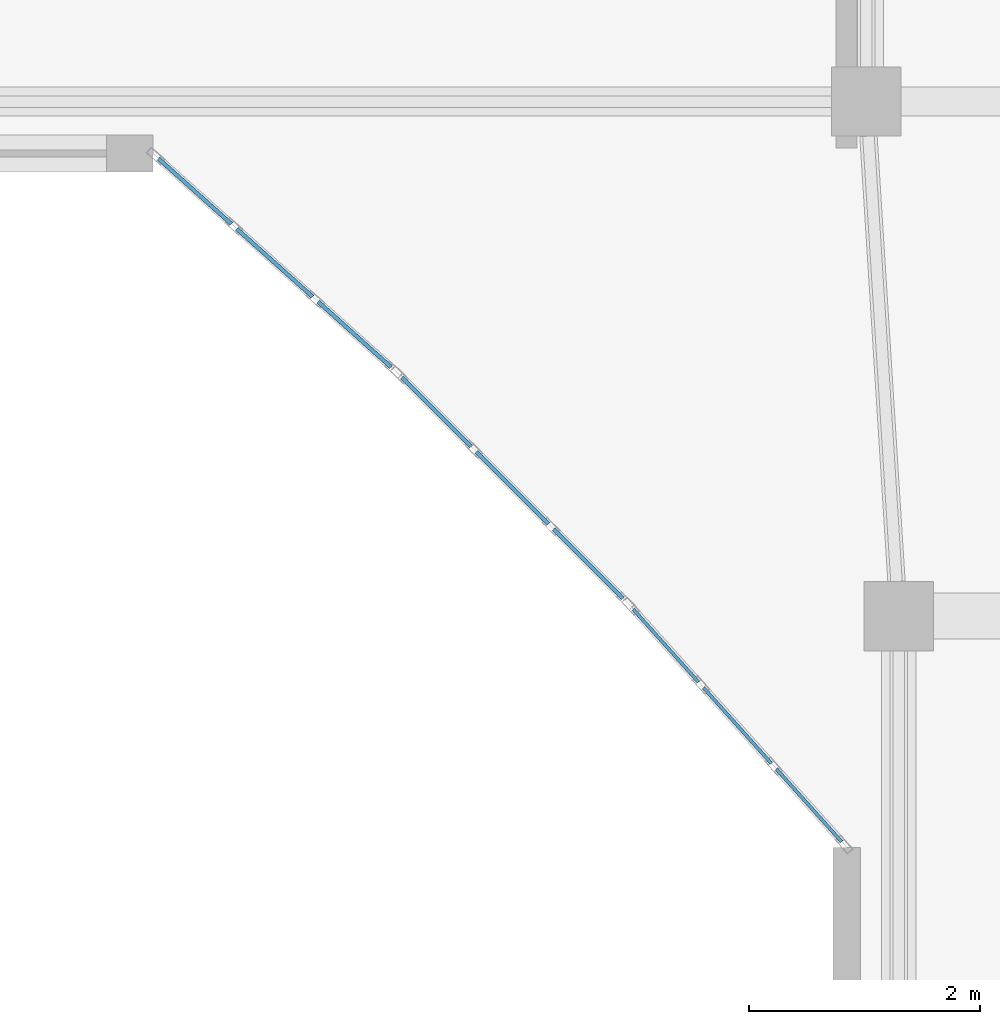
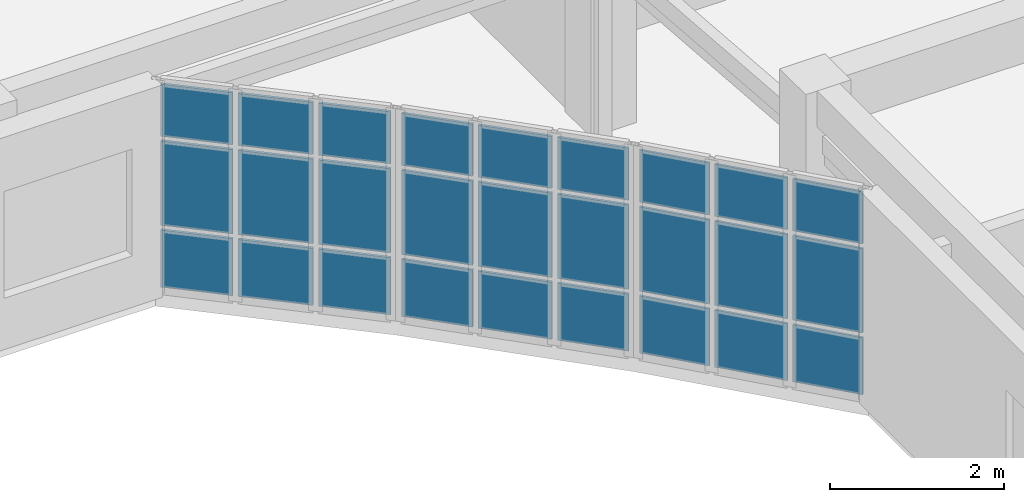
# One storey, part 24 of 71: 27 plates, 3 elements without a shape of their own.
"""IFC4 building model written with IfcOpenShell, lengths in metres."""

from ifc_helpers import new_model, si_unit, direction, frame, origin, origin_2d, place, context, subcontext, project, spatial, rectangle, extrude, material, layer, layer_set, type_object, element, aggregate, save


model = new_model("IFC4")

# Units and contexts
model_context = context("Model", 3, precision=1e-05, world=origin(), true_north=direction((0.0, 1.0)))
body_context = subcontext(model_context, "Body", "Model", "MODEL_VIEW")
ifc_project = project(units=[si_unit("LENGTHUNIT", "METRE"), si_unit("AREAUNIT", "SQUARE_METRE"), si_unit("VOLUMEUNIT", "CUBIC_METRE"), si_unit("PLANEANGLEUNIT", "RADIAN"), si_unit("MASSUNIT", "GRAM", prefix="KILO")], contexts=[model_context])

# Site, building, storey
site_placement = place(None, origin())
site = spatial("IfcSite", under=ifc_project, at=site_placement, CompositionType="ELEMENT")
building_placement = place(site_placement, origin())
building = spatial("IfcBuilding", under=site, at=building_placement, Name="Keldmere Railside Commons", CompositionType="ELEMENT")
storey_placement = place(building_placement, frame((0.0, 0.0, 20.159912109375)))
storey = spatial("IfcBuildingStorey", under=building, at=storey_placement, Name="L06", CompositionType="ELEMENT", Elevation=20.159912109375)

# Curtain wall, plates
ifc_material_1 = material(Name="Thermally Broken Aluminium", Category="aluminium")
ifc_layer_1 = layer(ifc_material_1, 0.159912109375, Name="Court Chord Wintergarden CW 4800x2850")
ifc_layer_set_1 = layer_set([ifc_layer_1], Name="Thermally Broken Aluminium")
curtain_wall_type_1 = type_object("IfcCurtainWallType", Name="Court Chord Wintergarden CW 4800x2850", PredefinedType="NOTDEFINED", material=ifc_layer_set_1)
curtain_wall_1_placement = place(storey_placement, origin())
curtain_wall_1 = element("IfcCurtainWall", 1, at=curtain_wall_1_placement, inside=storey, type_object=curtain_wall_type_1, Name="CW-12 CW-L06-064", PredefinedType="NOTDEFINED")
ifc_material_2 = material(Name="Low-E Insulated Double Glazing", Category="glass")
ifc_layer_2 = layer(ifc_material_2, 0.033935546875, Name="Acoustic Laminated Vision Panel 34")
ifc_layer_set_2 = layer_set([ifc_layer_2], Name="Low-E Insulated Double Glazing")
plate_type_1 = type_object("IfcPlateType", Name="Acoustic Laminated Vision Panel 34", PredefinedType="CURTAIN_PANEL", material=ifc_layer_set_2)
plate_1_placement = place(storey_placement, frame((43.74462890625, 98.435791015625, 0.06494140625), z_axis=(0.0, 0.0, 1.0), x_axis=(-0.744557333277, 0.667558519879, 0.0)))
plate_1 = element("IfcPlate", 2, at=plate_1_placement, type_object=plate_type_1, Name="CW-12 panel 1.1", PredefinedType="CURTAIN_PANEL", context=body_context, shape_type="SweptSolid", body=[
    extrude(rectangle(XDim=0.84619140625, YDim=0.033935546875, at=origin_2d()), origin(), (0.0, 0.0, 1.0), 0.802490234375),
])
plate_2_placement = place(storey_placement, frame((43.74462890625, 98.435791015625, 0.9326171875), z_axis=(0.0, 0.0, 1.0), x_axis=(-0.744557333277, 0.667558519879, 0.0)))
plate_2 = element("IfcPlate", 3, at=plate_2_placement, type_object=plate_type_1, Name="CW-12 panel 1.2", PredefinedType="CURTAIN_PANEL", context=body_context, shape_type="SweptSolid", body=[
    extrude(rectangle(XDim=0.84619140625, YDim=0.033935546875, at=origin_2d()), origin(), (0.0, 0.0, 1.0), 1.18505859375),
])
plate_3_placement = place(storey_placement, frame((43.74462890625, 98.435791015625, 2.1826171875), z_axis=(0.0, 0.0, 1.0), x_axis=(-0.744557333277, 0.667558519879, 0.0)))
plate_3 = element("IfcPlate", 4, at=plate_3_placement, type_object=plate_type_1, Name="CW-12 panel 1.3", PredefinedType="CURTAIN_PANEL", context=body_context, shape_type="SweptSolid", body=[
    extrude(rectangle(XDim=0.84619140625, YDim=0.033935546875, at=origin_2d()), origin(), (0.0, 0.0, 1.0), 0.732421875),
])
plate_4_placement = place(storey_placement, frame((43.053955078125, 99.054931640625, 0.06494140625), z_axis=(0.0, 0.0, 1.0), x_axis=(-0.744557333277, 0.667558519879, 0.0)))
plate_4 = element("IfcPlate", 5, at=plate_4_placement, type_object=plate_type_1, Name="CW-12 panel 2.1", PredefinedType="CURTAIN_PANEL", context=body_context, shape_type="SweptSolid", body=[
    extrude(rectangle(XDim=0.878662109375, YDim=0.033935546875, at=origin_2d()), origin(), (0.0, 0.0, 1.0), 0.802490234375),
])
plate_5_placement = place(storey_placement, frame((43.053955078125, 99.054931640625, 0.9326171875), z_axis=(0.0, 0.0, 1.0), x_axis=(-0.744557333277, 0.667558519879, 0.0)))
plate_5 = element("IfcPlate", 6, at=plate_5_placement, type_object=plate_type_1, Name="CW-12 panel 2.2", PredefinedType="CURTAIN_PANEL", context=body_context, shape_type="SweptSolid", body=[
    extrude(rectangle(XDim=0.878662109375, YDim=0.033935546875, at=origin_2d()), origin(), (0.0, 0.0, 1.0), 1.18505859375),
])
plate_6_placement = place(storey_placement, frame((43.053955078125, 99.054931640625, 2.1826171875), z_axis=(0.0, 0.0, 1.0), x_axis=(-0.744557333277, 0.667558519879, 0.0)))
plate_6 = element("IfcPlate", 7, at=plate_6_placement, type_object=plate_type_1, Name="CW-12 panel 2.3", PredefinedType="CURTAIN_PANEL", context=body_context, shape_type="SweptSolid", body=[
    extrude(rectangle(XDim=0.878662109375, YDim=0.033935546875, at=origin_2d()), origin(), (0.0, 0.0, 1.0), 0.732421875),
])
plate_7_placement = place(storey_placement, frame((42.363525390625, 99.674072265625, 0.06494140625), z_axis=(0.0, 0.0, 1.0), x_axis=(-0.744557333277, 0.667558519879, 0.0)))
plate_7 = element("IfcPlate", 8, at=plate_7_placement, type_object=plate_type_1, Name="CW-12 panel 3.1", PredefinedType="CURTAIN_PANEL", context=body_context, shape_type="SweptSolid", body=[
    extrude(rectangle(XDim=0.84619140625, YDim=0.033935546875, at=origin_2d()), origin(), (0.0, 0.0, 1.0), 0.802490234375),
])
plate_8_placement = place(storey_placement, frame((42.363525390625, 99.674072265625, 0.9326171875), z_axis=(0.0, 0.0, 1.0), x_axis=(-0.744557333277, 0.667558519879, 0.0)))
plate_8 = element("IfcPlate", 9, at=plate_8_placement, type_object=plate_type_1, Name="CW-12 panel 3.2", PredefinedType="CURTAIN_PANEL", context=body_context, shape_type="SweptSolid", body=[
    extrude(rectangle(XDim=0.84619140625, YDim=0.033935546875, at=origin_2d()), origin(), (0.0, 0.0, 1.0), 1.18505859375),
])
plate_9_placement = place(storey_placement, frame((42.363525390625, 99.674072265625, 2.1826171875), z_axis=(0.0, 0.0, 1.0), x_axis=(-0.744557333277, 0.667558519879, 0.0)))
plate_9 = element("IfcPlate", 10, at=plate_9_placement, type_object=plate_type_1, Name="CW-12 panel 3.3", PredefinedType="CURTAIN_PANEL", context=body_context, shape_type="SweptSolid", body=[
    extrude(rectangle(XDim=0.84619140625, YDim=0.033935546875, at=origin_2d()), origin(), (0.0, 0.0, 1.0), 0.732421875),
])
aggregate(curtain_wall_1, [plate_1, plate_2, plate_3, plate_4, plate_5, plate_6, plate_7, plate_8, plate_9])

ifc_layer_3 = layer(ifc_material_1, 0.159912109375, Name="Court Chord Wintergarden CW 5400x2850")
ifc_layer_set_3 = layer_set([ifc_layer_3], Name="Thermally Broken Aluminium")
curtain_wall_type_2 = type_object("IfcCurtainWallType", Name="Court Chord Wintergarden CW 5400x2850", PredefinedType="NOTDEFINED", material=ifc_layer_set_3)
curtain_wall_2_placement = place(storey_placement, origin())
curtain_wall_2 = element("IfcCurtainWall", 11, at=curtain_wall_2_placement, inside=storey, type_object=curtain_wall_type_2, Name="CW-13 CW-L06-065", PredefinedType="NOTDEFINED")
ifc_layer_4 = layer(ifc_material_2, 0.031982421875, Name="Clerestory Solar-Control Vision Panel 32")
ifc_layer_set_4 = layer_set([ifc_layer_4], Name="Low-E Insulated Double Glazing")
plate_type_2 = type_object("IfcPlateType", Name="Clerestory Solar-Control Vision Panel 32", PredefinedType="CURTAIN_PANEL", material=ifc_layer_set_4)
plate_10_placement = place(storey_placement, frame((45.764892578125, 96.453125, 0.06494140625), z_axis=(0.0, 0.0, 1.0), x_axis=(-0.707106781187, 0.707106781187, 0.0)))
plate_10 = element("IfcPlate", 12, at=plate_10_placement, type_object=plate_type_2, Name="CW-13 panel 1.1", PredefinedType="CURTAIN_PANEL", context=body_context, shape_type="SweptSolid", body=[
    extrude(rectangle(XDim=0.84619140625, YDim=0.031982421875, at=origin_2d()), origin(), (0.0, 0.0, 1.0), 0.802490234375),
])
plate_11_placement = place(storey_placement, frame((45.764892578125, 96.453125, 0.9326171875), z_axis=(0.0, 0.0, 1.0), x_axis=(-0.707106781187, 0.707106781187, 0.0)))
plate_11 = element("IfcPlate", 13, at=plate_11_placement, type_object=plate_type_2, Name="CW-13 panel 1.2", PredefinedType="CURTAIN_PANEL", context=body_context, shape_type="SweptSolid", body=[
    extrude(rectangle(XDim=0.84619140625, YDim=0.031982421875, at=origin_2d()), origin(), (0.0, 0.0, 1.0), 1.18505859375),
])
plate_12_placement = place(storey_placement, frame((45.764892578125, 96.453125, 2.1826171875), z_axis=(0.0, 0.0, 1.0), x_axis=(-0.707106781187, 0.707106781187, 0.0)))
plate_12 = element("IfcPlate", 14, at=plate_12_placement, type_object=plate_type_2, Name="CW-13 panel 1.3", PredefinedType="CURTAIN_PANEL", context=body_context, shape_type="SweptSolid", body=[
    extrude(rectangle(XDim=0.84619140625, YDim=0.031982421875, at=origin_2d()), origin(), (0.0, 0.0, 1.0), 0.732421875),
])
plate_13_placement = place(storey_placement, frame((45.10888671875, 97.10888671875, 0.06494140625), z_axis=(0.0, 0.0, 1.0), x_axis=(-0.707106781187, 0.707106781187, 0.0)))
plate_13 = element("IfcPlate", 15, at=plate_13_placement, type_object=plate_type_2, Name="CW-13 panel 2.1", PredefinedType="CURTAIN_PANEL", context=body_context, shape_type="SweptSolid", body=[
    extrude(rectangle(XDim=0.878662109375, YDim=0.031982421875, at=origin_2d()), origin(), (0.0, 0.0, 1.0), 0.802490234375),
])
plate_14_placement = place(storey_placement, frame((45.10888671875, 97.10888671875, 0.9326171875), z_axis=(0.0, 0.0, 1.0), x_axis=(-0.707106781187, 0.707106781187, 0.0)))
plate_14 = element("IfcPlate", 16, at=plate_14_placement, type_object=plate_type_2, Name="CW-13 panel 2.2", PredefinedType="CURTAIN_PANEL", context=body_context, shape_type="SweptSolid", body=[
    extrude(rectangle(XDim=0.878662109375, YDim=0.031982421875, at=origin_2d()), origin(), (0.0, 0.0, 1.0), 1.18505859375),
])
plate_15_placement = place(storey_placement, frame((45.10888671875, 97.10888671875, 2.1826171875), z_axis=(0.0, 0.0, 1.0), x_axis=(-0.707106781187, 0.707106781187, 0.0)))
plate_15 = element("IfcPlate", 17, at=plate_15_placement, type_object=plate_type_2, Name="CW-13 panel 2.3", PredefinedType="CURTAIN_PANEL", context=body_context, shape_type="SweptSolid", body=[
    extrude(rectangle(XDim=0.878662109375, YDim=0.031982421875, at=origin_2d()), origin(), (0.0, 0.0, 1.0), 0.732421875),
])
plate_16_placement = place(storey_placement, frame((44.453125, 97.764892578125, 0.06494140625), z_axis=(0.0, 0.0, 1.0), x_axis=(-0.707106781187, 0.707106781187, 0.0)))
plate_16 = element("IfcPlate", 18, at=plate_16_placement, type_object=plate_type_2, Name="CW-13 panel 3.1", PredefinedType="CURTAIN_PANEL", context=body_context, shape_type="SweptSolid", body=[
    extrude(rectangle(XDim=0.84619140625, YDim=0.031982421875, at=origin_2d()), origin(), (0.0, 0.0, 1.0), 0.802490234375),
])
plate_17_placement = place(storey_placement, frame((44.453125, 97.764892578125, 0.9326171875), z_axis=(0.0, 0.0, 1.0), x_axis=(-0.707106781187, 0.707106781187, 0.0)))
plate_17 = element("IfcPlate", 19, at=plate_17_placement, type_object=plate_type_2, Name="CW-13 panel 3.2", PredefinedType="CURTAIN_PANEL", context=body_context, shape_type="SweptSolid", body=[
    extrude(rectangle(XDim=0.84619140625, YDim=0.031982421875, at=origin_2d()), origin(), (0.0, 0.0, 1.0), 1.18505859375),
])
plate_18_placement = place(storey_placement, frame((44.453125, 97.764892578125, 2.1826171875), z_axis=(0.0, 0.0, 1.0), x_axis=(-0.707106781187, 0.707106781187, 0.0)))
plate_18 = element("IfcPlate", 20, at=plate_18_placement, type_object=plate_type_2, Name="CW-13 panel 3.3", PredefinedType="CURTAIN_PANEL", context=body_context, shape_type="SweptSolid", body=[
    extrude(rectangle(XDim=0.84619140625, YDim=0.031982421875, at=origin_2d()), origin(), (0.0, 0.0, 1.0), 0.732421875),
])
aggregate(curtain_wall_2, [plate_10, plate_11, plate_12, plate_13, plate_14, plate_15, plate_16, plate_17, plate_18])

curtain_wall_3_placement = place(storey_placement, origin())
curtain_wall_3 = element("IfcCurtainWall", 21, at=curtain_wall_3_placement, inside=storey, type_object=curtain_wall_type_1, Name="CW-12 CW-L06-066", PredefinedType="NOTDEFINED")
ifc_layer_5 = layer(ifc_material_2, 0.028076171875, Name="Low-E Vision Glazing Panel 28")
ifc_layer_set_5 = layer_set([ifc_layer_5], Name="Low-E Insulated Double Glazing")
plate_type_3 = type_object("IfcPlateType", Name="Low-E Vision Glazing Panel 28", PredefinedType="CURTAIN_PANEL", material=ifc_layer_set_5)
plate_19_placement = place(storey_placement, frame((47.674072265625, 94.363525390625, 0.06494140625), z_axis=(0.0, 0.0, 1.0), x_axis=(-0.667558519879, 0.744557333277, 0.0)))
plate_19 = element("IfcPlate", 22, at=plate_19_placement, type_object=plate_type_3, Name="CW-12 panel 1.1", PredefinedType="CURTAIN_PANEL", context=body_context, shape_type="SweptSolid", body=[
    extrude(rectangle(XDim=0.84619140625, YDim=0.028076171875, at=origin_2d()), origin(), (0.0, 0.0, 1.0), 0.802490234375),
])
plate_20_placement = place(storey_placement, frame((47.674072265625, 94.363525390625, 0.9326171875), z_axis=(0.0, 0.0, 1.0), x_axis=(-0.667558519879, 0.744557333277, 0.0)))
plate_20 = element("IfcPlate", 23, at=plate_20_placement, type_object=plate_type_3, Name="CW-12 panel 1.2", PredefinedType="CURTAIN_PANEL", context=body_context, shape_type="SweptSolid", body=[
    extrude(rectangle(XDim=0.84619140625, YDim=0.028076171875, at=origin_2d()), origin(), (0.0, 0.0, 1.0), 1.18505859375),
])
plate_21_placement = place(storey_placement, frame((47.674072265625, 94.363525390625, 2.1826171875), z_axis=(0.0, 0.0, 1.0), x_axis=(-0.667558519879, 0.744557333277, 0.0)))
plate_21 = element("IfcPlate", 24, at=plate_21_placement, type_object=plate_type_3, Name="CW-12 panel 1.3", PredefinedType="CURTAIN_PANEL", context=body_context, shape_type="SweptSolid", body=[
    extrude(rectangle(XDim=0.84619140625, YDim=0.028076171875, at=origin_2d()), origin(), (0.0, 0.0, 1.0), 0.732421875),
])
plate_22_placement = place(storey_placement, frame((47.054931640625, 95.053955078125, 0.06494140625), z_axis=(0.0, 0.0, 1.0), x_axis=(-0.667558519879, 0.744557333277, 0.0)))
plate_22 = element("IfcPlate", 25, at=plate_22_placement, type_object=plate_type_3, Name="CW-12 panel 2.1", PredefinedType="CURTAIN_PANEL", context=body_context, shape_type="SweptSolid", body=[
    extrude(rectangle(XDim=0.878662109375, YDim=0.028076171875, at=origin_2d()), origin(), (0.0, 0.0, 1.0), 0.802490234375),
])
plate_23_placement = place(storey_placement, frame((47.054931640625, 95.053955078125, 0.9326171875), z_axis=(0.0, 0.0, 1.0), x_axis=(-0.667558519879, 0.744557333277, 0.0)))
plate_23 = element("IfcPlate", 26, at=plate_23_placement, type_object=plate_type_3, Name="CW-12 panel 2.2", PredefinedType="CURTAIN_PANEL", context=body_context, shape_type="SweptSolid", body=[
    extrude(rectangle(XDim=0.878662109375, YDim=0.028076171875, at=origin_2d()), origin(), (0.0, 0.0, 1.0), 1.18505859375),
])
plate_24_placement = place(storey_placement, frame((47.054931640625, 95.053955078125, 2.1826171875), z_axis=(0.0, 0.0, 1.0), x_axis=(-0.667558519879, 0.744557333277, 0.0)))
plate_24 = element("IfcPlate", 27, at=plate_24_placement, type_object=plate_type_3, Name="CW-12 panel 2.3", PredefinedType="CURTAIN_PANEL", context=body_context, shape_type="SweptSolid", body=[
    extrude(rectangle(XDim=0.878662109375, YDim=0.028076171875, at=origin_2d()), origin(), (0.0, 0.0, 1.0), 0.732421875),
])
plate_25_placement = place(storey_placement, frame((46.435791015625, 95.74462890625, 0.06494140625), z_axis=(0.0, 0.0, 1.0), x_axis=(-0.667558519879, 0.744557333277, 0.0)))
plate_25 = element("IfcPlate", 28, at=plate_25_placement, type_object=plate_type_3, Name="CW-12 panel 3.1", PredefinedType="CURTAIN_PANEL", context=body_context, shape_type="SweptSolid", body=[
    extrude(rectangle(XDim=0.84619140625, YDim=0.028076171875, at=origin_2d()), origin(), (0.0, 0.0, 1.0), 0.802490234375),
])
plate_26_placement = place(storey_placement, frame((46.435791015625, 95.74462890625, 0.9326171875), z_axis=(0.0, 0.0, 1.0), x_axis=(-0.667558519879, 0.744557333277, 0.0)))
plate_26 = element("IfcPlate", 29, at=plate_26_placement, type_object=plate_type_3, Name="CW-12 panel 3.2", PredefinedType="CURTAIN_PANEL", context=body_context, shape_type="SweptSolid", body=[
    extrude(rectangle(XDim=0.84619140625, YDim=0.028076171875, at=origin_2d()), origin(), (0.0, 0.0, 1.0), 1.18505859375),
])
plate_27_placement = place(storey_placement, frame((46.435791015625, 95.74462890625, 2.1826171875), z_axis=(0.0, 0.0, 1.0), x_axis=(-0.667558519879, 0.744557333277, 0.0)))
plate_27 = element("IfcPlate", 30, at=plate_27_placement, type_object=plate_type_3, Name="CW-12 panel 3.3", PredefinedType="CURTAIN_PANEL", context=body_context, shape_type="SweptSolid", body=[
    extrude(rectangle(XDim=0.84619140625, YDim=0.028076171875, at=origin_2d()), origin(), (0.0, 0.0, 1.0), 0.732421875),
])
aggregate(curtain_wall_3, [plate_19, plate_20, plate_21, plate_22, plate_23, plate_24, plate_25, plate_26, plate_27])

save(model, "model.ifc")
